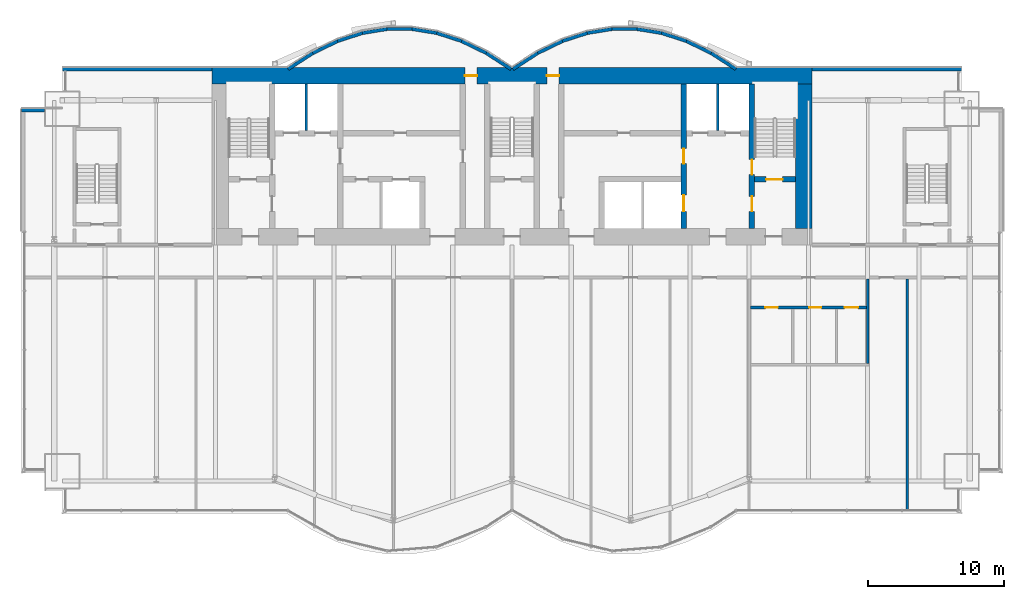
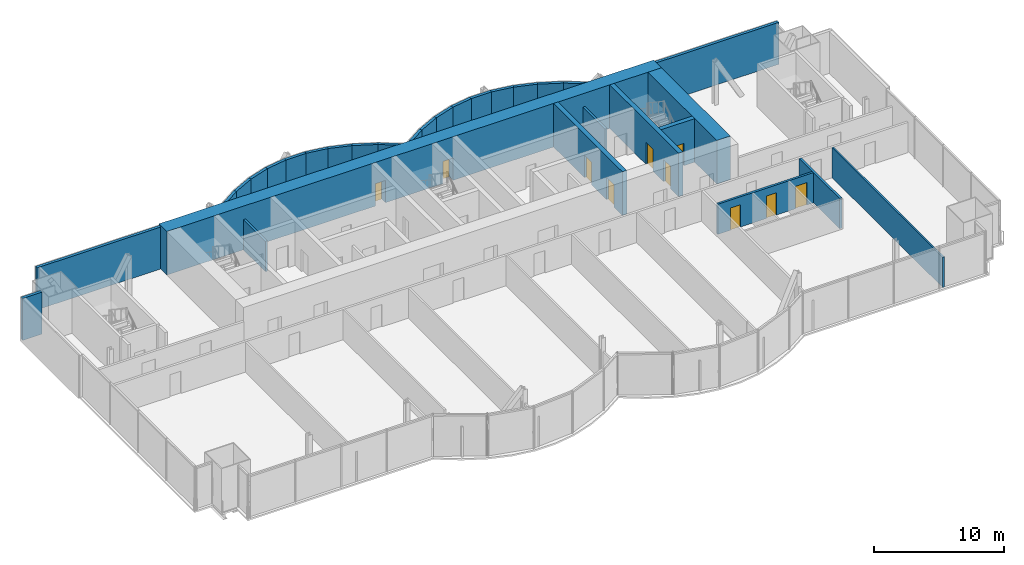
# One storey, part 16 of 20: 31 walls, 10 doors, 10 openings.
"""IFC4 building model written with IfcOpenShell, lengths in metres."""

from ifc_helpers import new_model, si_unit, direction, frame, frame_2d, origin, place, context, subcontext, project, spatial, rectangle, extrude, material, layer, layer_set, layer_usage, type_object, element, fill, save


model = new_model("IFC4")

# Units and contexts
model_context = context("Model", 3, precision=1e-05, world=origin(), true_north=direction((0.0, 1.0)))
body_context = subcontext(model_context, "Body", "Model", "MODEL_VIEW")
ifc_project = project(units=[si_unit("LENGTHUNIT", "METRE"), si_unit("AREAUNIT", "SQUARE_METRE"), si_unit("VOLUMEUNIT", "CUBIC_METRE"), si_unit("PLANEANGLEUNIT", "RADIAN"), si_unit("MASSUNIT", "GRAM", prefix="KILO")], contexts=[model_context])

# Site, building, storey
site_placement = place(None, origin())
site = spatial("IfcSite", under=ifc_project, at=site_placement, CompositionType="ELEMENT")
building_placement = place(site_placement, origin())
building = spatial("IfcBuilding", under=site, at=building_placement, Name="Bicima Exchange Tower", CompositionType="ELEMENT")
storey_placement = place(building_placement, frame((0.0, 0.0, 199.10009765625)))
storey = spatial("IfcBuildingStorey", under=building, at=storey_placement, Name="L44", CompositionType="ELEMENT", Elevation=199.10009765625)

# Walls
ifc_material_1 = material(Name="Gypsum board partition")
ifc_layer_1 = layer(ifc_material_1, 0.199951171875)
ifc_layer_set_1 = layer_set([ifc_layer_1], Name="Gypsum board partition")
wall_type_1 = type_object("IfcWallType", Name="Fire-rated gypsum partition 200 EI120", PredefinedType="PARTITIONING", material=ifc_layer_set_1)
for number, where, z_axis, x_axis, name in (
    (1, (-15.10009765625, -4.60009765625, 0.0), (0.0, 0.0, 1.0), (0.0, 1.0, 0.0), "partition wall 9"),
    (2, (15.10009765625, -4.60009765625, 0.0), (0.0, 0.0, 1.0), (0.0, 1.0, 0.0), "partition wall 20"),
):
    element("IfcWall", number, at=place(storey_placement, frame(where, z_axis=z_axis, x_axis=x_axis)), inside=storey, type_object=wall_type_1, Name=name, PredefinedType="PARTITIONING", context=body_context, shape_type="SweptSolid", body=[
        extrude(rectangle(XDim=3.400146484375, YDim=0.199951171875, at=frame_2d((1.7001953125, 0.0))), origin(), (0.0, 0.0, 1.0), 2.840087890625),
    ])

# Wall, openings, doors
ifc_layer_2 = layer(ifc_material_1, 0.199951171875)
ifc_layer_set_2 = layer_set([ifc_layer_2], Name="Gypsum board partition")
wall_type_2 = type_object("IfcWallType", Name="Fire-rated gypsum partition 200 EI60", PredefinedType="PARTITIONING", material=ifc_layer_set_2)
wall_1_placement = place(storey_placement, frame((17.5, -17.60009765625, 0.0), z_axis=(0.0, 0.0, 1.0), x_axis=(1.0, 0.0, 0.0)))
wall_1 = element("IfcWall", 3, at=wall_1_placement, inside=storey, type_object=wall_type_2, Name="partition wall 2", PredefinedType="PARTITIONING", context=body_context, shape_type="SweptSolid", body=[
    extrude(rectangle(XDim=8.5, YDim=0.199951171875, at=frame_2d((4.25, 0.0))), origin(), (0.0, 0.0, 1.0), 2.840087890625),
])
opening_1_placement = place(wall_1_placement, frame((1.10009765625, 0.0, 0.0)))
opening_1 = element("IfcOpeningElement", 4, at=opening_1_placement, cuts=wall_1, Name="Opening L44-015", PredefinedType="OPENING", context=body_context, shape_type="SweptSolid", body=[
    extrude(rectangle(XDim=0.89990234375, YDim=2.10009765625, at=frame_2d((0.449951171875, 1.050048828125))), frame((0.0, 0.11181640625, 0.0), z_axis=(0.0, -1.0, 0.0), x_axis=(1.0, 0.0, 0.0)), (0.0, 0.0, 1.0), 0.223876953125),
])
opening_2_placement = place(wall_1_placement, frame((4.300048828125, 0.0, 0.0)))
opening_2 = element("IfcOpeningElement", 5, at=opening_2_placement, cuts=wall_1, Name="Opening L44-016", PredefinedType="OPENING", context=body_context, shape_type="SweptSolid", body=[
    extrude(rectangle(XDim=0.89990234375, YDim=2.10009765625, at=frame_2d((0.449951171875, 1.050048828125))), frame((0.0, 0.11181640625, 0.0), z_axis=(0.0, -1.0, 0.0), x_axis=(1.0, 0.0, 0.0)), (0.0, 0.0, 1.0), 0.223876953125),
])
opening_3_placement = place(wall_1_placement, frame((6.89990234375, 0.0, 0.0)))
opening_3 = element("IfcOpeningElement", 6, at=opening_3_placement, cuts=wall_1, Name="Opening L44-017", PredefinedType="OPENING", context=body_context, shape_type="SweptSolid", body=[
    extrude(rectangle(XDim=1.0, YDim=2.10009765625, at=frame_2d((0.5, 1.050048828125))), frame((0.0, 0.11181640625, 0.0), z_axis=(0.0, -1.0, 0.0), x_axis=(1.0, 0.0, 0.0)), (0.0, 0.0, 1.0), 0.223876953125),
])
ifc_material_2 = material(Name="Steel fire door leaf", Category="steel")
door_type_1 = type_object("IfcDoorType", Name="Door 1000 swing FD30S", OperationType="SINGLE_SWING_LEFT", PredefinedType="DOOR", material=ifc_material_2)
door_1_placement = place(opening_3_placement, frame((1.0, 0.0, 0.0), z_axis=(0.0, 0.0, 1.0), x_axis=(-1.0, 0.0, 0.0)))
door_1 = element("IfcDoor", 7, at=door_1_placement, inside=storey, type_object=door_type_1, Name="Door", OperationType="SINGLE_SWING_RIGHT", OverallHeight=2.10009765625, OverallWidth=1.0, PredefinedType="DOOR", context=body_context, shape_type="SweptSolid", body=[
    extrude(rectangle(XDim=1.0, YDim=2.10009765625, at=frame_2d((0.5, 1.050048828125))), frame((0.0, 0.02490234375, 0.0), z_axis=(0.0, -1.0, 0.0), x_axis=(1.0, 0.0, 0.0)), (0.0, 0.0, 1.0), 0.050048828125),
])
fill(opening_3, door_1)
door_type_2 = type_object("IfcDoorType", Name="Door 900 swing FD30S", OperationType="SINGLE_SWING_LEFT", PredefinedType="DOOR", material=ifc_material_2)
door_2_placement = place(opening_1_placement, frame((0.89990234375, 0.0, 0.0), z_axis=(0.0, 0.0, 1.0), x_axis=(-1.0, 0.0, 0.0)))
door_2 = element("IfcDoor", 8, at=door_2_placement, inside=storey, type_object=door_type_2, Name="Door", OperationType="SINGLE_SWING_RIGHT", OverallHeight=2.10009765625, OverallWidth=0.89990234375, PredefinedType="DOOR", context=body_context, shape_type="SweptSolid", body=[
    extrude(rectangle(XDim=0.89990234375, YDim=2.10009765625, at=frame_2d((0.449951171875, 1.050048828125))), frame((0.0, 0.02490234375, 0.0), z_axis=(0.0, -1.0, 0.0), x_axis=(1.0, 0.0, 0.0)), (0.0, 0.0, 1.0), 0.050048828125),
])
fill(opening_1, door_2)
door_3_placement = place(opening_2_placement, frame((0.89990234375, 0.0, 0.0), z_axis=(0.0, 0.0, 1.0), x_axis=(-1.0, 0.0, 0.0)))
door_3 = element("IfcDoor", 9, at=door_3_placement, inside=storey, type_object=door_type_2, Name="Door", OperationType="SINGLE_SWING_LEFT", OverallHeight=2.10009765625, OverallWidth=0.89990234375, PredefinedType="DOOR", context=body_context, shape_type="SweptSolid", body=[
    extrude(rectangle(XDim=0.89990234375, YDim=2.10009765625, at=frame_2d((0.449951171875, 1.050048828125))), frame((0.0, 0.02490234375, 0.0), z_axis=(0.0, -1.0, 0.0), x_axis=(1.0, 0.0, 0.0)), (0.0, 0.0, 1.0), 0.050048828125),
])
fill(opening_2, door_3)

# Walls
wall_2_placement = place(storey_placement, frame((26.10009765625, -21.72509765625, 0.0), z_axis=(0.0, 0.0, 1.0), x_axis=(0.0, 1.0, 0.0)))
element("IfcWall", 10, at=wall_2_placement, inside=storey, type_object=wall_type_2, Name="partition wall 25", PredefinedType="PARTITIONING", context=body_context, shape_type="SweptSolid", body=[
    extrude(rectangle(XDim=6.22509765625, YDim=0.199951171875, at=frame_2d((3.112548828125, 0.0))), origin(), (0.0, 0.0, 1.0), 2.840087890625),
])
ifc_layer_3 = layer(ifc_material_1, 0.14990234375)
ifc_layer_set_3 = layer_set([ifc_layer_3], Name="Gypsum board partition")
wall_type_3 = type_object("IfcWallType", Name="Gypsum partition 150", PredefinedType="PARTITIONING", material=ifc_layer_set_3)
wall_3_placement = place(storey_placement, frame((29.0, -32.52001953125, 0.0), z_axis=(0.0, 0.0, 1.0), x_axis=(0.0, 1.0, 0.0)))
element("IfcWall", 11, at=wall_3_placement, inside=storey, type_object=wall_type_3, Name="partition wall 27", PredefinedType="PARTITIONING", context=body_context, shape_type="SweptSolid", body=[
    extrude(rectangle(XDim=17.02001953125, YDim=0.14990234375, at=frame_2d((8.510009765625, 0.0))), origin(), (0.0, 0.0, 1.0), 2.840087890625),
])

# Wall, openings, doors
ifc_material_3 = material(Name="Concrete C50/60", Category="concrete")
ifc_layer_4 = layer(ifc_material_3, 1.199951171875)
ifc_layer_set_4 = layer_set([ifc_layer_4], Name="Concrete C50/60")
wall_type_4 = type_object("IfcWallType", Name="RC core wall 1200 C50/60", PredefinedType="SHEAR", material=ifc_layer_set_4)
wall_4_placement = place(storey_placement, frame((-22.0, -0.60009765625, 0.0), z_axis=(0.0, 0.0, 1.0), x_axis=(1.0, 0.0, 0.0)))
wall_4 = element("IfcWall", 12, at=wall_4_placement, inside=storey, type_object=wall_type_4, Name="Core wall north", PredefinedType="SHEAR", context=body_context, shape_type="SweptSolid", body=[
    extrude(rectangle(XDim=44.0, YDim=1.199951171875, at=frame_2d((22.0, 0.0))), origin(), (0.0, 0.0, 1.0), 4.099853515625),
])
opening_4_placement = place(wall_4_placement, frame((18.550048828125, 0.0, 0.0)))
opening_4 = element("IfcOpeningElement", 13, at=opening_4_placement, cuts=wall_4, Name="Opening L44-C15", PredefinedType="OPENING", context=body_context, shape_type="SweptSolid", body=[
    extrude(rectangle(XDim=0.89990234375, YDim=2.10009765625, at=frame_2d((0.449951171875, 1.050048828125))), frame((0.0, 0.61181640625, 0.0), z_axis=(0.0, -1.0, 0.0), x_axis=(1.0, 0.0, 0.0)), (0.0, 0.0, 1.0), 1.223876953125),
])
opening_5_placement = place(wall_4_placement, frame((24.550048828125, 0.0, 0.0)))
opening_5 = element("IfcOpeningElement", 14, at=opening_5_placement, cuts=wall_4, Name="Opening L44-C16", PredefinedType="OPENING", context=body_context, shape_type="SweptSolid", body=[
    extrude(rectangle(XDim=0.89990234375, YDim=2.10009765625, at=frame_2d((0.449951171875, 1.050048828125))), frame((0.0, 0.61181640625, 0.0), z_axis=(0.0, -1.0, 0.0), x_axis=(1.0, 0.0, 0.0)), (0.0, 0.0, 1.0), 1.223876953125),
])
door_4_placement = place(opening_4_placement, origin())
door_4 = element("IfcDoor", 15, at=door_4_placement, inside=storey, type_object=door_type_2, Name="Core door", OperationType="SINGLE_SWING_LEFT", OverallHeight=2.10009765625, OverallWidth=0.89990234375, PredefinedType="DOOR", context=body_context, shape_type="SweptSolid", body=[
    extrude(rectangle(XDim=0.89990234375, YDim=2.10009765625, at=frame_2d((0.449951171875, 1.050048828125))), frame((0.0, 0.02490234375, 0.0), z_axis=(0.0, -1.0, 0.0), x_axis=(1.0, 0.0, 0.0)), (0.0, 0.0, 1.0), 0.050048828125),
])
fill(opening_4, door_4)
door_5_placement = place(opening_5_placement, origin())
door_5 = element("IfcDoor", 16, at=door_5_placement, inside=storey, type_object=door_type_2, Name="Core door", OperationType="SINGLE_SWING_LEFT", OverallHeight=2.10009765625, OverallWidth=0.89990234375, PredefinedType="DOOR", context=body_context, shape_type="SweptSolid", body=[
    extrude(rectangle(XDim=0.89990234375, YDim=2.10009765625, at=frame_2d((0.449951171875, 1.050048828125))), frame((0.0, 0.02490234375, 0.0), z_axis=(0.0, -1.0, 0.0), x_axis=(1.0, 0.0, 0.0)), (0.0, 0.0, 1.0), 0.050048828125),
])
fill(opening_5, door_5)

# Wall
wall_5_placement = place(storey_placement, frame((21.39990234375, -11.800048828125, 0.0), z_axis=(0.0, 0.0, 1.0), x_axis=(0.0, 1.0, 0.0)))
element("IfcWall", 17, at=wall_5_placement, inside=storey, type_object=wall_type_4, Name="Core wall east", PredefinedType="SHEAR", context=body_context, shape_type="SweptSolid", body=[
    extrude(rectangle(XDim=10.60009765625, YDim=1.199951171875, at=frame_2d((5.300048828125, 0.0))), origin(), (0.0, 0.0, 1.0), 4.099853515625),
])

# Wall, opening, door
ifc_layer_5 = layer(ifc_material_3, 0.39990234375)
ifc_layer_set_5 = layer_set([ifc_layer_5], Name="Concrete C50/60")
wall_type_5 = type_object("IfcWallType", Name="RC core wall 400 C50/60", PredefinedType="SHEAR", material=ifc_layer_set_5)
wall_6_placement = place(storey_placement, frame((17.800048828125, -8.199951171875, 0.0), z_axis=(0.0, 0.0, 1.0), x_axis=(1.0, 0.0, 0.0)))
wall_6 = element("IfcWall", 18, at=wall_6_placement, inside=storey, type_object=wall_type_5, Name="stair wall 5", PredefinedType="SHEAR", context=body_context, shape_type="SweptSolid", body=[
    extrude(rectangle(XDim=3.0, YDim=0.39990234375, at=frame_2d((1.5, 0.0))), origin(), (0.0, 0.0, 1.0), 4.099853515625),
])
opening_6_placement = place(wall_6_placement, frame((0.85009765625, 0.0, 0.0)))
opening_6 = element("IfcOpeningElement", 19, at=opening_6_placement, cuts=wall_6, Name="Opening L44-C04", PredefinedType="OPENING", context=body_context, shape_type="SweptSolid", body=[
    extrude(rectangle(XDim=1.199951171875, YDim=2.10009765625, at=frame_2d((0.60009765625, 1.050048828125))), frame((0.0, 0.2119140625, 0.0), z_axis=(0.0, -1.0, 0.0), x_axis=(1.0, 0.0, 0.0)), (0.0, 0.0, 1.0), 0.423828125),
])
door_type_3 = type_object("IfcDoorType", Name="Door 1200 swing FD60S", OperationType="SINGLE_SWING_LEFT", PredefinedType="DOOR", material=ifc_material_2)
door_6_placement = place(opening_6_placement, origin())
door_6 = element("IfcDoor", 20, at=door_6_placement, inside=storey, type_object=door_type_3, Name="Core door", OperationType="SINGLE_SWING_RIGHT", OverallHeight=2.10009765625, OverallWidth=1.199951171875, PredefinedType="DOOR", context=body_context, shape_type="SweptSolid", body=[
    extrude(rectangle(XDim=1.199951171875, YDim=2.10009765625, at=frame_2d((0.60009765625, 1.050048828125))), frame((0.0, 0.02490234375, 0.0), z_axis=(0.0, -1.0, 0.0), x_axis=(1.0, 0.0, 0.0)), (0.0, 0.0, 1.0), 0.050048828125),
])
fill(opening_6, door_6)

# Wall, openings, doors
wall_7_placement = place(storey_placement, frame((12.60009765625, -11.800048828125, 0.0), z_axis=(0.0, 0.0, 1.0), x_axis=(0.0, 1.0, 0.0)))
wall_7 = element("IfcWall", 21, at=wall_7_placement, inside=storey, type_object=wall_type_5, Name="shear wall 19", PredefinedType="SHEAR", context=body_context, shape_type="SweptSolid", body=[
    extrude(rectangle(XDim=10.60009765625, YDim=0.39990234375, at=frame_2d((5.300048828125, 0.0))), origin(), (0.0, 0.0, 1.0), 4.099853515625),
])
opening_7_placement = place(wall_7_placement, frame((1.25, 0.0, 0.0)))
opening_7 = element("IfcOpeningElement", 22, at=opening_7_placement, cuts=wall_7, Name="Opening LD-MB2-L44", PredefinedType="OPENING", context=body_context, shape_type="SweptSolid", body=[
    extrude(rectangle(XDim=1.199951171875, YDim=2.10009765625, at=frame_2d((0.60009765625, 1.050048828125))), frame((0.0, 0.2119140625, 0.0), z_axis=(0.0, -1.0, 0.0), x_axis=(1.0, 0.0, 0.0)), (0.0, 0.0, 1.0), 0.423828125),
])
opening_8_placement = place(wall_7_placement, frame((4.75, 0.0, 0.0)))
opening_8 = element("IfcOpeningElement", 23, at=opening_8_placement, cuts=wall_7, Name="Opening L44-C09", PredefinedType="OPENING", context=body_context, shape_type="SweptSolid", body=[
    extrude(rectangle(XDim=1.10009765625, YDim=2.10009765625, at=frame_2d((0.550048828125, 1.050048828125))), frame((0.0, 0.2119140625, 0.0), z_axis=(0.0, -1.0, 0.0), x_axis=(1.0, 0.0, 0.0)), (0.0, 0.0, 1.0), 0.423828125),
])
door_type_4 = type_object("IfcDoorType", Name="Door 1100 swing FD60S", OperationType="SINGLE_SWING_LEFT", PredefinedType="DOOR", material=ifc_material_2)
door_7_placement = place(opening_8_placement, frame((1.10009765625, 0.0, 0.0), z_axis=(0.0, 0.0, 1.0), x_axis=(-1.0, 0.0, 0.0)))
door_7 = element("IfcDoor", 24, at=door_7_placement, inside=storey, type_object=door_type_4, Name="Core door", OperationType="SINGLE_SWING_RIGHT", OverallHeight=2.10009765625, OverallWidth=1.10009765625, PredefinedType="DOOR", context=body_context, shape_type="SweptSolid", body=[
    extrude(rectangle(XDim=1.10009765625, YDim=2.10009765625, at=frame_2d((0.550048828125, 1.050048828125))), frame((0.0, 0.02490234375, 0.0), z_axis=(0.0, -1.0, 0.0), x_axis=(1.0, 0.0, 0.0)), (0.0, 0.0, 1.0), 0.050048828125),
])
fill(opening_8, door_7)
ifc_material_4 = material(Name="Stainless steel", Category="steel")
door_type_5 = type_object("IfcDoorType", Name="Lift landing door 1200 sliding", OperationType="DOUBLE_DOOR_SLIDING", PredefinedType="DOOR", material=ifc_material_4)
door_8_placement = place(opening_7_placement, origin())
door_8 = element("IfcDoor", 25, at=door_8_placement, inside=storey, type_object=door_type_5, Name="Lift landing door MB2", OperationType="DOUBLE_DOOR_SLIDING", OverallHeight=2.10009765625, OverallWidth=1.199951171875, PredefinedType="DOOR", context=body_context, shape_type="SweptSolid", body=[
    extrude(rectangle(XDim=1.199951171875, YDim=2.10009765625, at=frame_2d((0.60009765625, 1.050048828125))), frame((0.0, 0.02490234375, 0.0), z_axis=(0.0, -1.0, 0.0), x_axis=(1.0, 0.0, 0.0)), (0.0, 0.0, 1.0), 0.050048828125),
])
fill(opening_7, door_8)

wall_8_placement = place(storey_placement, frame((17.60009765625, -11.800048828125, 0.0), z_axis=(0.0, 0.0, 1.0), x_axis=(0.0, 1.0, 0.0)))
wall_8 = element("IfcWall", 26, at=wall_8_placement, inside=storey, type_object=wall_type_5, Name="stair wall 21", PredefinedType="SHEAR", context=body_context, shape_type="SweptSolid", body=[
    extrude(rectangle(XDim=10.60009765625, YDim=0.39990234375, at=frame_2d((5.300048828125, 0.0))), origin(), (0.0, 0.0, 1.0), 4.099853515625),
])
opening_9_placement = place(wall_8_placement, frame((1.25, 0.0, 0.0)))
opening_9 = element("IfcOpeningElement", 27, at=opening_9_placement, cuts=wall_8, Name="Opening L44-C05", PredefinedType="OPENING", context=body_context, shape_type="SweptSolid", body=[
    extrude(rectangle(XDim=1.10009765625, YDim=2.10009765625, at=frame_2d((0.550048828125, 1.050048828125))), frame((0.0, 0.2119140625, 0.0), z_axis=(0.0, -1.0, 0.0), x_axis=(1.0, 0.0, 0.0)), (0.0, 0.0, 1.0), 0.423828125),
])
opening_10_placement = place(wall_8_placement, frame((3.949951171875, 0.0, 0.0)))
opening_10 = element("IfcOpeningElement", 28, at=opening_10_placement, cuts=wall_8, Name="Opening L44-C08", PredefinedType="OPENING", context=body_context, shape_type="SweptSolid", body=[
    extrude(rectangle(XDim=1.10009765625, YDim=2.10009765625, at=frame_2d((0.550048828125, 1.050048828125))), frame((0.0, 0.2119140625, 0.0), z_axis=(0.0, -1.0, 0.0), x_axis=(1.0, 0.0, 0.0)), (0.0, 0.0, 1.0), 0.423828125),
])
door_9_placement = place(opening_9_placement, origin())
door_9 = element("IfcDoor", 29, at=door_9_placement, inside=storey, type_object=door_type_4, Name="Core door", OperationType="SINGLE_SWING_LEFT", OverallHeight=2.10009765625, OverallWidth=1.10009765625, PredefinedType="DOOR", context=body_context, shape_type="SweptSolid", body=[
    extrude(rectangle(XDim=1.10009765625, YDim=2.10009765625, at=frame_2d((0.550048828125, 1.050048828125))), frame((0.0, 0.02490234375, 0.0), z_axis=(0.0, -1.0, 0.0), x_axis=(1.0, 0.0, 0.0)), (0.0, 0.0, 1.0), 0.050048828125),
])
fill(opening_9, door_9)
door_10_placement = place(opening_10_placement, origin())
door_10 = element("IfcDoor", 30, at=door_10_placement, inside=storey, type_object=door_type_4, Name="Core door", OperationType="SINGLE_SWING_RIGHT", OverallHeight=2.10009765625, OverallWidth=1.10009765625, PredefinedType="DOOR", context=body_context, shape_type="SweptSolid", body=[
    extrude(rectangle(XDim=1.10009765625, YDim=2.10009765625, at=frame_2d((0.550048828125, 1.050048828125))), frame((0.0, 0.02490234375, 0.0), z_axis=(0.0, -1.0, 0.0), x_axis=(1.0, 0.0, 0.0)), (0.0, 0.0, 1.0), 0.050048828125),
])
fill(opening_10, door_10)

# Walls
ifc_material_5 = material(Name="Concrete C40/50", Category="concrete")
ifc_layer_6 = layer(ifc_material_5, 0.25)
ifc_layer_set_6 = layer_set([ifc_layer_6], Name="Concrete C40/50")
ifc_layer_usage = layer_usage(ifc_layer_set_6, "AXIS2", "POSITIVE", -0.125)
wall_type_6 = type_object("IfcWallType", Name="Rear backup wall 250", PredefinedType="STANDARD", material=ifc_layer_set_6)
wall_9_placement = place(storey_placement, frame((33.0, -0.125, 0.0), z_axis=(0.0, 0.0, 1.0), x_axis=(-1.0, 0.0, 0.0)))
element("IfcWall", 31, at=wall_9_placement, inside=storey, type_object=wall_type_6, material=ifc_layer_usage, Name="Rear backup wall L44 1", PredefinedType="STANDARD", context=body_context, shape_type="SweptSolid", body=[
    extrude(rectangle(XDim=11.0, YDim=0.25, at=frame_2d((5.5, 0.0))), origin(), (0.0, 0.0, 1.0), 3.949951171875),
])
wall_10_placement = place(storey_placement, frame((16.43212890625, -0.10498046875, 0.0), z_axis=(0.0, 0.0, 1.0), x_axis=(-0.83981312244, 0.542875602121, 0.0)))
element("IfcWall", 32, at=wall_10_placement, inside=storey, type_object=wall_type_6, material=ifc_layer_usage, Name="Rear backup wall L44 2", PredefinedType="STANDARD", context=body_context, shape_type="SweptSolid", body=[
    extrude(rectangle(XDim=2.182861328125, YDim=0.25, at=frame_2d((1.09130859375, 0.0))), origin(), (0.0, 0.0, 1.0), 3.949951171875),
])
wall_11_placement = place(storey_placement, frame((14.6123046875, 1.07275390625, 0.0), z_axis=(0.0, 0.0, 1.0), x_axis=(-0.89982408427, 0.436252928206, 0.0)))
element("IfcWall", 33, at=wall_11_placement, inside=storey, type_object=wall_type_6, material=ifc_layer_usage, Name="Rear backup wall L44 3", PredefinedType="STANDARD", context=body_context, shape_type="SweptSolid", body=[
    extrude(rectangle(XDim=2.03759765625, YDim=0.25, at=frame_2d((1.018798828125, 0.0))), origin(), (0.0, 0.0, 1.0), 3.949951171875),
])
wall_12_placement = place(storey_placement, frame((12.794921875, 1.955078125, 0.0), z_axis=(0.0, 0.0, 1.0), x_axis=(-0.951495806175, 0.307661714928, 0.0)))
element("IfcWall", 34, at=wall_12_placement, inside=storey, type_object=wall_type_6, material=ifc_layer_usage, Name="Rear backup wall L44 4", PredefinedType="STANDARD", context=body_context, shape_type="SweptSolid", body=[
    extrude(rectangle(XDim=1.9267578125, YDim=0.25, at=frame_2d((0.96337890625, 0.0))), origin(), (0.0, 0.0, 1.0), 3.949951171875),
])
wall_13_placement = place(storey_placement, frame((10.97998046875, 2.543212890625, 0.0), z_axis=(0.0, 0.0, 1.0), x_axis=(-0.987181718931, 0.159600293885, 0.0)))
element("IfcWall", 35, at=wall_13_placement, inside=storey, type_object=wall_type_6, material=ifc_layer_usage, Name="Rear backup wall L44 5", PredefinedType="STANDARD", context=body_context, shape_type="SweptSolid", body=[
    extrude(rectangle(XDim=1.857177734375, YDim=0.25, at=frame_2d((0.9287109375, 0.0))), origin(), (0.0, 0.0, 1.0), 3.949951171875),
])
wall_14_placement = place(storey_placement, frame((9.166748046875, 2.837890625, 0.0), z_axis=(0.0, 0.0, 1.0), x_axis=(-1.0, 0.0, 0.0)))
element("IfcWall", 36, at=wall_14_placement, inside=storey, type_object=wall_type_6, material=ifc_layer_usage, Name="Rear backup wall L44 6", PredefinedType="STANDARD", context=body_context, shape_type="SweptSolid", body=[
    extrude(rectangle(XDim=1.83349609375, YDim=0.25, at=frame_2d((0.916748046875, 0.0))), origin(), (0.0, 0.0, 1.0), 3.949951171875),
])
wall_15_placement = place(storey_placement, frame((7.353271484375, 2.839599609375, 0.0), z_axis=(0.0, 0.0, 1.0), x_axis=(-0.987181718931, -0.159600293885, 0.0)))
element("IfcWall", 37, at=wall_15_placement, inside=storey, type_object=wall_type_6, material=ifc_layer_usage, Name="Rear backup wall L44 7", PredefinedType="STANDARD", context=body_context, shape_type="SweptSolid", body=[
    extrude(rectangle(XDim=1.857177734375, YDim=0.25, at=frame_2d((0.9287109375, 0.0))), origin(), (0.0, 0.0, 1.0), 3.949951171875),
])
wall_16_placement = place(storey_placement, frame((5.538330078125, 2.5478515625, 0.0), z_axis=(0.0, 0.0, 1.0), x_axis=(-0.951495806175, -0.307661714928, 0.0)))
element("IfcWall", 38, at=wall_16_placement, inside=storey, type_object=wall_type_6, material=ifc_layer_usage, Name="Rear backup wall L44 8", PredefinedType="STANDARD", context=body_context, shape_type="SweptSolid", body=[
    extrude(rectangle(XDim=1.9267578125, YDim=0.25, at=frame_2d((0.96337890625, 0.0))), origin(), (0.0, 0.0, 1.0), 3.949951171875),
])
wall_17_placement = place(storey_placement, frame((3.72119140625, 1.961669921875, 0.0), z_axis=(0.0, 0.0, 1.0), x_axis=(-0.89982408427, -0.436252928206, 0.0)))
element("IfcWall", 39, at=wall_17_placement, inside=storey, type_object=wall_type_6, material=ifc_layer_usage, Name="Rear backup wall L44 9", PredefinedType="STANDARD", context=body_context, shape_type="SweptSolid", body=[
    extrude(rectangle(XDim=2.03759765625, YDim=0.25, at=frame_2d((1.018798828125, 0.0))), origin(), (0.0, 0.0, 1.0), 3.949951171875),
])
for number, where, z_axis, x_axis, name in (
    (40, (1.901123046875, 1.080078125, 0.0), (0.0, 0.0, 1.0), (-0.83981312244, -0.542875602121, 0.0), "Rear backup wall L44 10"),
    (41, (-0.06787109375, -0.10498046875, 0.0), (0.0, 0.0, 1.0), (-0.83981312244, 0.542875602121, 0.0), "Rear backup wall L44 11"),
):
    element("IfcWall", number, at=place(storey_placement, frame(where, z_axis=z_axis, x_axis=x_axis)), inside=storey, type_object=wall_type_6, material=ifc_layer_usage, Name=name, PredefinedType="STANDARD", context=body_context, shape_type="SweptSolid", body=[
        extrude(rectangle(XDim=2.182861328125, YDim=0.25, at=frame_2d((1.09130859375, 0.0))), origin(), (0.0, 0.0, 1.0), 3.949951171875),
    ])
wall_18_placement = place(storey_placement, frame((-1.8876953125, 1.07275390625, 0.0), z_axis=(0.0, 0.0, 1.0), x_axis=(-0.89982408427, 0.436252928206, 0.0)))
element("IfcWall", 42, at=wall_18_placement, inside=storey, type_object=wall_type_6, material=ifc_layer_usage, Name="Rear backup wall L44 12", PredefinedType="STANDARD", context=body_context, shape_type="SweptSolid", body=[
    extrude(rectangle(XDim=2.03759765625, YDim=0.25, at=frame_2d((1.018798828125, 0.0))), origin(), (0.0, 0.0, 1.0), 3.949951171875),
])
wall_19_placement = place(storey_placement, frame((-3.705078125, 1.955078125, 0.0), z_axis=(0.0, 0.0, 1.0), x_axis=(-0.951495806175, 0.307661714928, 0.0)))
element("IfcWall", 43, at=wall_19_placement, inside=storey, type_object=wall_type_6, material=ifc_layer_usage, Name="Rear backup wall L44 13", PredefinedType="STANDARD", context=body_context, shape_type="SweptSolid", body=[
    extrude(rectangle(XDim=1.9267578125, YDim=0.25, at=frame_2d((0.96337890625, 0.0))), origin(), (0.0, 0.0, 1.0), 3.949951171875),
])
wall_20_placement = place(storey_placement, frame((-5.52001953125, 2.543212890625, 0.0), z_axis=(0.0, 0.0, 1.0), x_axis=(-0.987181718931, 0.159600293885, 0.0)))
element("IfcWall", 44, at=wall_20_placement, inside=storey, type_object=wall_type_6, material=ifc_layer_usage, Name="Rear backup wall L44 14", PredefinedType="STANDARD", context=body_context, shape_type="SweptSolid", body=[
    extrude(rectangle(XDim=1.857177734375, YDim=0.25, at=frame_2d((0.9287109375, 0.0))), origin(), (0.0, 0.0, 1.0), 3.949951171875),
])
wall_21_placement = place(storey_placement, frame((-7.333251953125, 2.837890625, 0.0), z_axis=(0.0, 0.0, 1.0), x_axis=(-1.0, 0.0, 0.0)))
element("IfcWall", 45, at=wall_21_placement, inside=storey, type_object=wall_type_6, material=ifc_layer_usage, Name="Rear backup wall L44 15", PredefinedType="STANDARD", context=body_context, shape_type="SweptSolid", body=[
    extrude(rectangle(XDim=1.83349609375, YDim=0.25, at=frame_2d((0.916748046875, 0.0))), origin(), (0.0, 0.0, 1.0), 3.949951171875),
])
wall_22_placement = place(storey_placement, frame((-9.146728515625, 2.839599609375, 0.0), z_axis=(0.0, 0.0, 1.0), x_axis=(-0.987181718931, -0.159600293885, 0.0)))
element("IfcWall", 46, at=wall_22_placement, inside=storey, type_object=wall_type_6, material=ifc_layer_usage, Name="Rear backup wall L44 16", PredefinedType="STANDARD", context=body_context, shape_type="SweptSolid", body=[
    extrude(rectangle(XDim=1.857177734375, YDim=0.25, at=frame_2d((0.9287109375, 0.0))), origin(), (0.0, 0.0, 1.0), 3.949951171875),
])
wall_23_placement = place(storey_placement, frame((-10.961669921875, 2.5478515625, 0.0), z_axis=(0.0, 0.0, 1.0), x_axis=(-0.951495806175, -0.307661714928, 0.0)))
element("IfcWall", 47, at=wall_23_placement, inside=storey, type_object=wall_type_6, material=ifc_layer_usage, Name="Rear backup wall L44 17", PredefinedType="STANDARD", context=body_context, shape_type="SweptSolid", body=[
    extrude(rectangle(XDim=1.9267578125, YDim=0.25, at=frame_2d((0.96337890625, 0.0))), origin(), (0.0, 0.0, 1.0), 3.949951171875),
])
wall_24_placement = place(storey_placement, frame((-12.77880859375, 1.961669921875, 0.0), z_axis=(0.0, 0.0, 1.0), x_axis=(-0.89982408427, -0.436252928206, 0.0)))
element("IfcWall", 48, at=wall_24_placement, inside=storey, type_object=wall_type_6, material=ifc_layer_usage, Name="Rear backup wall L44 18", PredefinedType="STANDARD", context=body_context, shape_type="SweptSolid", body=[
    extrude(rectangle(XDim=2.03759765625, YDim=0.25, at=frame_2d((1.018798828125, 0.0))), origin(), (0.0, 0.0, 1.0), 3.949951171875),
])
wall_25_placement = place(storey_placement, frame((-14.598876953125, 1.080078125, 0.0), z_axis=(0.0, 0.0, 1.0), x_axis=(-0.83981312244, -0.542875602121, 0.0)))
element("IfcWall", 49, at=wall_25_placement, inside=storey, type_object=wall_type_6, material=ifc_layer_usage, Name="Rear backup wall L44 19", PredefinedType="STANDARD", context=body_context, shape_type="SweptSolid", body=[
    extrude(rectangle(XDim=2.182861328125, YDim=0.25, at=frame_2d((1.09130859375, 0.0))), origin(), (0.0, 0.0, 1.0), 3.949951171875),
])
wall_26_placement = place(storey_placement, frame((-22.0, -0.125, 0.0), z_axis=(0.0, 0.0, 1.0), x_axis=(-1.0, 0.0, 0.0)))
element("IfcWall", 50, at=wall_26_placement, inside=storey, type_object=wall_type_6, material=ifc_layer_usage, Name="Rear backup wall L44 20", PredefinedType="STANDARD", context=body_context, shape_type="SweptSolid", body=[
    extrude(rectangle(XDim=11.0, YDim=0.25, at=frame_2d((5.5, 0.0))), origin(), (0.0, 0.0, 1.0), 3.949951171875),
])
wall_27_placement = place(storey_placement, frame((-34.300048828125, -3.125, 0.0), z_axis=(0.0, 0.0, 1.0), x_axis=(-1.0, 0.0, 0.0)))
element("IfcWall", 51, at=wall_27_placement, inside=storey, type_object=wall_type_6, material=ifc_layer_usage, Name="Rear backup wall L44 22", PredefinedType="STANDARD", context=body_context, shape_type="SweptSolid", body=[
    extrude(rectangle(XDim=1.699951171875, YDim=0.25, at=frame_2d((0.85009765625, 0.0))), origin(), (0.0, 0.0, 1.0), 3.949951171875),
])

save(model, "model.ifc")
